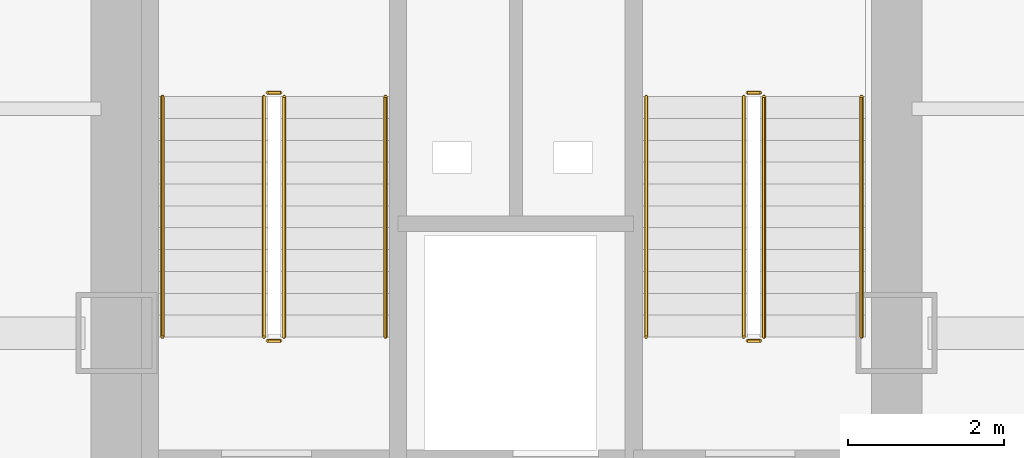
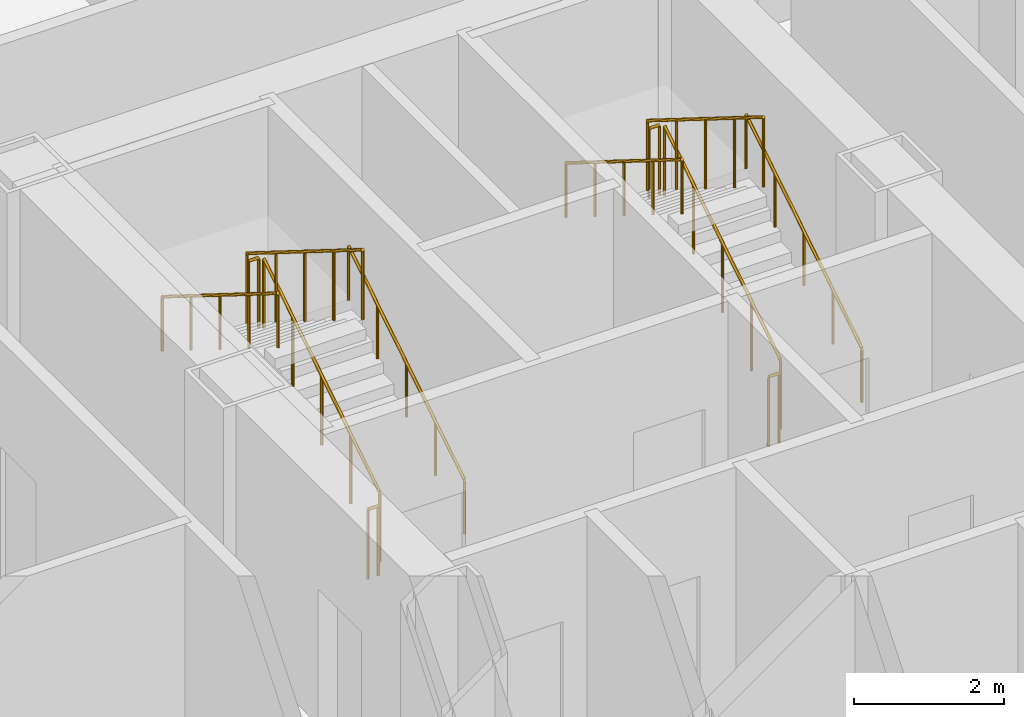
# One storey, part 13 of 16: 12 railings.
"""IFC4 building model written with IfcOpenShell, lengths in metres."""

from ifc_helpers import new_model, si_unit, direction, frame, origin, origin_2d, place, context, subcontext, project, spatial, circle, extrude, material, type_object, element, save


model = new_model("IFC4")

# Units and contexts
model_context = context("Model", 3, precision=1e-05, world=origin(), true_north=direction((0.0, 1.0)))
body_context = subcontext(model_context, "Body", "Model", "MODEL_VIEW")
ifc_project = project(units=[si_unit("LENGTHUNIT", "METRE"), si_unit("AREAUNIT", "SQUARE_METRE"), si_unit("VOLUMEUNIT", "CUBIC_METRE"), si_unit("PLANEANGLEUNIT", "RADIAN"), si_unit("MASSUNIT", "GRAM", prefix="KILO")], contexts=[model_context])

# Site, building, storey
site_placement = place(None, origin())
site = spatial("IfcSite", under=ifc_project, at=site_placement, CompositionType="ELEMENT")
building_placement = place(site_placement, origin())
building = spatial("IfcBuilding", under=site, at=building_placement, Name="Kolveth Station Tower", CompositionType="ELEMENT")
storey_placement = place(building_placement, frame((0.0, 0.0, -4.199951171875)))
storey = spatial("IfcBuildingStorey", under=building, at=storey_placement, Name="B1", CompositionType="ELEMENT", Elevation=-4.199951171875)

# Railings
ifc_material_1 = material(Name="Painted Steel S355 balustrade", Category="steel")
railing_type_1 = type_object("IfcRailingType", Name="Guard_GR2", PredefinedType="BALUSTRADE", material=ifc_material_1)
railing_1_placement = place(storey_placement, frame((20.64990234375, 22.949951171875, 0.175048828125)))
element("IfcRailing", 1, at=railing_1_placement, inside=storey, type_object=railing_type_1, Name="B1 ST1 stair guard 1", PredefinedType="BALUSTRADE", context=body_context, shape_type="SweptSolid", body=[
    extrude(circle(Radius=0.02392578125, at=origin_2d()), frame((0.0, 0.0, 1.1259765625), z_axis=(0.0, 0.848028513186, 0.529950602248), x_axis=(-1.0, 0.0, 0.0)), (0.0, 0.0, 1.0), 3.632080078125),
    extrude(circle(Radius=0.02099609375, at=origin_2d()), origin(), (0.0, 0.0, 1.0), 1.101806640625),
    extrude(circle(Radius=0.02099609375, at=origin_2d()), frame((0.0, 0.77001953125, 0.481201171875)), (0.0, 0.0, 1.0), 1.101806640625),
    extrude(circle(Radius=0.02099609375, at=origin_2d()), frame((0.0, 1.5400390625, 0.96240234375)), (0.0, 0.0, 1.0), 1.101806640625),
    extrude(circle(Radius=0.02099609375, at=origin_2d()), frame((0.0, 2.31005859375, 1.443603515625)), (0.0, 0.0, 1.0), 1.101806640625),
    extrude(circle(Radius=0.02099609375, at=origin_2d()), frame((0.0, 3.080078125, 1.9248046875)), (0.0, 0.0, 1.0), 1.101806640625),
])
railing_2_placement = place(storey_placement, frame((20.60009765625, 26.080078125, 2.099853515625)))
element("IfcRailing", 2, at=railing_2_placement, inside=storey, type_object=railing_type_1, Name="B1 ST1 stair guard 2", PredefinedType="BALUSTRADE", context=body_context, shape_type="SweptSolid", body=[
    extrude(circle(Radius=0.02392578125, at=origin_2d()), frame((0.0, 0.0, 1.1259765625), z_axis=(-1.0, 0.0, 0.0), x_axis=(0.0, -1.0, 0.0)), (0.0, 0.0, 1.0), 0.16015625),
    extrude(circle(Radius=0.02099609375, at=origin_2d()), origin(), (0.0, 0.0, 1.0), 1.101806640625),
    extrude(circle(Radius=0.02099609375, at=origin_2d()), frame((-0.16015625, 0.0, 0.0)), (0.0, 0.0, 1.0), 1.101806640625),
])
railing_3_placement = place(storey_placement, frame((20.389892578125, 26.030029296875, 2.27490234375)))
element("IfcRailing", 3, at=railing_3_placement, inside=storey, type_object=railing_type_1, Name="B1 ST1 stair guard 3", PredefinedType="BALUSTRADE", context=body_context, shape_type="SweptSolid", body=[
    extrude(circle(Radius=0.02392578125, at=origin_2d()), frame((0.0, 0.0, 1.1259765625), z_axis=(0.0, -0.847998304005, 0.529998940003), x_axis=(1.0, 0.0, 0.0)), (0.0, 0.0, 1.0), 3.632080078125),
    extrude(circle(Radius=0.02099609375, at=origin_2d()), origin(), (0.0, 0.0, 1.0), 1.101806640625),
    extrude(circle(Radius=0.02099609375, at=origin_2d()), frame((0.0, -0.77001953125, 0.481201171875)), (0.0, 0.0, 1.0), 1.101806640625),
    extrude(circle(Radius=0.02099609375, at=origin_2d()), frame((0.0, -1.5400390625, 0.96240234375)), (0.0, 0.0, 1.0), 1.101806640625),
    extrude(circle(Radius=0.02099609375, at=origin_2d()), frame((0.0, -2.31005859375, 1.44384765625)), (0.0, 0.0, 1.0), 1.101806640625),
    extrude(circle(Radius=0.02099609375, at=origin_2d()), frame((0.0, -3.080078125, 1.925048828125)), (0.0, 0.0, 1.0), 1.101806640625),
])
railing_4_placement = place(storey_placement, frame((20.60009765625, 22.89990234375, 0.0)))
element("IfcRailing", 4, at=railing_4_placement, inside=storey, type_object=railing_type_1, Name="B1 ST1 stair guard 4", PredefinedType="BALUSTRADE", context=body_context, shape_type="SweptSolid", body=[
    extrude(circle(Radius=0.02392578125, at=origin_2d()), frame((0.0, 0.0, 1.1259765625), z_axis=(-1.0, 0.0, 0.0), x_axis=(0.0, -1.0, 0.0)), (0.0, 0.0, 1.0), 0.16015625),
    extrude(circle(Radius=0.02099609375, at=origin_2d()), origin(), (0.0, 0.0, 1.0), 1.101806640625),
    extrude(circle(Radius=0.02099609375, at=origin_2d()), frame((-0.16015625, 0.0, 0.0)), (0.0, 0.0, 1.0), 1.101806640625),
])
railing_5_placement = place(storey_placement, frame((26.800048828125, 22.949951171875, 0.175048828125)))
element("IfcRailing", 5, at=railing_5_placement, inside=storey, type_object=railing_type_1, Name="B1 ST2 stair guard 1", PredefinedType="BALUSTRADE", context=body_context, shape_type="SweptSolid", body=[
    extrude(circle(Radius=0.02392578125, at=origin_2d()), frame((0.0, 0.0, 1.1259765625), z_axis=(0.0, 0.848028513186, 0.529950602248), x_axis=(-1.0, 0.0, 0.0)), (0.0, 0.0, 1.0), 3.632080078125),
    extrude(circle(Radius=0.02099609375, at=origin_2d()), origin(), (0.0, 0.0, 1.0), 1.101806640625),
    extrude(circle(Radius=0.02099609375, at=origin_2d()), frame((0.0, 0.77001953125, 0.481201171875)), (0.0, 0.0, 1.0), 1.101806640625),
    extrude(circle(Radius=0.02099609375, at=origin_2d()), frame((0.0, 1.5400390625, 0.96240234375)), (0.0, 0.0, 1.0), 1.101806640625),
    extrude(circle(Radius=0.02099609375, at=origin_2d()), frame((0.0, 2.31005859375, 1.443603515625)), (0.0, 0.0, 1.0), 1.101806640625),
    extrude(circle(Radius=0.02099609375, at=origin_2d()), frame((0.0, 3.080078125, 1.9248046875)), (0.0, 0.0, 1.0), 1.101806640625),
])
railing_6_placement = place(storey_placement, frame((26.75, 26.080078125, 2.099853515625)))
element("IfcRailing", 6, at=railing_6_placement, inside=storey, type_object=railing_type_1, Name="B1 ST2 stair guard 2", PredefinedType="BALUSTRADE", context=body_context, shape_type="SweptSolid", body=[
    extrude(circle(Radius=0.02392578125, at=origin_2d()), frame((0.0, 0.0, 1.1259765625), z_axis=(-1.0, 0.0, 0.0), x_axis=(0.0, -1.0, 0.0)), (0.0, 0.0, 1.0), 0.159912109375),
    extrude(circle(Radius=0.02099609375, at=origin_2d()), origin(), (0.0, 0.0, 1.0), 1.101806640625),
    extrude(circle(Radius=0.02099609375, at=origin_2d()), frame((-0.159912109375, 0.0, 0.0)), (0.0, 0.0, 1.0), 1.101806640625),
])
railing_7_placement = place(storey_placement, frame((26.5400390625, 26.030029296875, 2.27490234375)))
element("IfcRailing", 7, at=railing_7_placement, inside=storey, type_object=railing_type_1, Name="B1 ST2 stair guard 3", PredefinedType="BALUSTRADE", context=body_context, shape_type="SweptSolid", body=[
    extrude(circle(Radius=0.02392578125, at=origin_2d()), frame((0.0, 0.0, 1.1259765625), z_axis=(0.0, -0.847998304005, 0.529998940003), x_axis=(1.0, 0.0, 0.0)), (0.0, 0.0, 1.0), 3.632080078125),
    extrude(circle(Radius=0.02099609375, at=origin_2d()), origin(), (0.0, 0.0, 1.0), 1.101806640625),
    extrude(circle(Radius=0.02099609375, at=origin_2d()), frame((0.0, -0.77001953125, 0.481201171875)), (0.0, 0.0, 1.0), 1.101806640625),
    extrude(circle(Radius=0.02099609375, at=origin_2d()), frame((0.0, -1.5400390625, 0.96240234375)), (0.0, 0.0, 1.0), 1.101806640625),
    extrude(circle(Radius=0.02099609375, at=origin_2d()), frame((0.0, -2.31005859375, 1.44384765625)), (0.0, 0.0, 1.0), 1.101806640625),
    extrude(circle(Radius=0.02099609375, at=origin_2d()), frame((0.0, -3.080078125, 1.925048828125)), (0.0, 0.0, 1.0), 1.101806640625),
])
railing_8_placement = place(storey_placement, frame((26.75, 22.89990234375, 0.0)))
element("IfcRailing", 8, at=railing_8_placement, inside=storey, type_object=railing_type_1, Name="B1 ST2 stair guard 4", PredefinedType="BALUSTRADE", context=body_context, shape_type="SweptSolid", body=[
    extrude(circle(Radius=0.02392578125, at=origin_2d()), frame((0.0, 0.0, 1.1259765625), z_axis=(-1.0, 0.0, 0.0), x_axis=(0.0, -1.0, 0.0)), (0.0, 0.0, 1.0), 0.159912109375),
    extrude(circle(Radius=0.02099609375, at=origin_2d()), origin(), (0.0, 0.0, 1.0), 1.101806640625),
    extrude(circle(Radius=0.02099609375, at=origin_2d()), frame((-0.159912109375, 0.0, 0.0)), (0.0, 0.0, 1.0), 1.101806640625),
])
ifc_material_2 = material(Name="Brushed stainless steel", Category="steel")
railing_type_2 = type_object("IfcRailingType", Name="Handrail_HR1", PredefinedType="HANDRAIL", material=ifc_material_2)
railing_9_placement = place(storey_placement, frame((21.949951171875, 22.949951171875, 0.175048828125)))
element("IfcRailing", 9, at=railing_9_placement, inside=storey, type_object=railing_type_2, Name="B1 ST1 stair handrail 1", PredefinedType="HANDRAIL", context=body_context, shape_type="SweptSolid", body=[
    extrude(circle(Radius=0.02392578125, at=origin_2d()), frame((0.0, 0.0, 0.8759765625), z_axis=(0.0, 0.848028513186, 0.529950602248), x_axis=(-1.0, 0.0, 0.0)), (0.0, 0.0, 1.0), 3.632080078125),
    extrude(circle(Radius=0.02099609375, at=origin_2d()), origin(), (0.0, 0.0, 1.0), 0.851806640625),
    extrude(circle(Radius=0.02099609375, at=origin_2d()), frame((0.0, 0.77001953125, 0.481201171875)), (0.0, 0.0, 1.0), 0.851806640625),
    extrude(circle(Radius=0.02099609375, at=origin_2d()), frame((0.0, 1.5400390625, 0.96240234375)), (0.0, 0.0, 1.0), 0.851806640625),
    extrude(circle(Radius=0.02099609375, at=origin_2d()), frame((0.0, 2.31005859375, 1.443603515625)), (0.0, 0.0, 1.0), 0.851806640625),
    extrude(circle(Radius=0.02099609375, at=origin_2d()), frame((0.0, 3.080078125, 1.9248046875)), (0.0, 0.0, 1.0), 0.851806640625),
])
railing_10_placement = place(storey_placement, frame((19.090087890625, 26.030029296875, 2.27490234375)))
element("IfcRailing", 10, at=railing_10_placement, inside=storey, type_object=railing_type_2, Name="B1 ST1 stair handrail 2", PredefinedType="HANDRAIL", context=body_context, shape_type="SweptSolid", body=[
    extrude(circle(Radius=0.02392578125, at=origin_2d()), frame((0.0, 0.0, 0.8759765625), z_axis=(0.0, -0.847998304005, 0.529998940003), x_axis=(1.0, 0.0, 0.0)), (0.0, 0.0, 1.0), 3.632080078125),
    extrude(circle(Radius=0.02099609375, at=origin_2d()), origin(), (0.0, 0.0, 1.0), 0.851806640625),
    extrude(circle(Radius=0.02099609375, at=origin_2d()), frame((0.0, -0.77001953125, 0.481201171875)), (0.0, 0.0, 1.0), 0.851806640625),
    extrude(circle(Radius=0.02099609375, at=origin_2d()), frame((0.0, -1.5400390625, 0.96240234375)), (0.0, 0.0, 1.0), 0.851806640625),
    extrude(circle(Radius=0.02099609375, at=origin_2d()), frame((0.0, -2.31005859375, 1.44384765625)), (0.0, 0.0, 1.0), 0.851806640625),
    extrude(circle(Radius=0.02099609375, at=origin_2d()), frame((0.0, -3.080078125, 1.925048828125)), (0.0, 0.0, 1.0), 0.851806640625),
])
railing_11_placement = place(storey_placement, frame((28.050048828125, 22.949951171875, 0.175048828125)))
element("IfcRailing", 11, at=railing_11_placement, inside=storey, type_object=railing_type_2, Name="B1 ST2 stair handrail 1", PredefinedType="HANDRAIL", context=body_context, shape_type="SweptSolid", body=[
    extrude(circle(Radius=0.02392578125, at=origin_2d()), frame((0.0, 0.0, 0.8759765625), z_axis=(0.0, 0.848028513186, 0.529950602248), x_axis=(-1.0, 0.0, 0.0)), (0.0, 0.0, 1.0), 3.632080078125),
    extrude(circle(Radius=0.02099609375, at=origin_2d()), origin(), (0.0, 0.0, 1.0), 0.851806640625),
    extrude(circle(Radius=0.02099609375, at=origin_2d()), frame((0.0, 0.77001953125, 0.481201171875)), (0.0, 0.0, 1.0), 0.851806640625),
    extrude(circle(Radius=0.02099609375, at=origin_2d()), frame((0.0, 1.5400390625, 0.96240234375)), (0.0, 0.0, 1.0), 0.851806640625),
    extrude(circle(Radius=0.02099609375, at=origin_2d()), frame((0.0, 2.31005859375, 1.443603515625)), (0.0, 0.0, 1.0), 0.851806640625),
    extrude(circle(Radius=0.02099609375, at=origin_2d()), frame((0.0, 3.080078125, 1.9248046875)), (0.0, 0.0, 1.0), 0.851806640625),
])
railing_12_placement = place(storey_placement, frame((25.2900390625, 26.030029296875, 2.27490234375)))
element("IfcRailing", 12, at=railing_12_placement, inside=storey, type_object=railing_type_2, Name="B1 ST2 stair handrail 2", PredefinedType="HANDRAIL", context=body_context, shape_type="SweptSolid", body=[
    extrude(circle(Radius=0.02392578125, at=origin_2d()), frame((0.0, 0.0, 0.8759765625), z_axis=(0.0, -0.847998304005, 0.529998940003), x_axis=(1.0, 0.0, 0.0)), (0.0, 0.0, 1.0), 3.632080078125),
    extrude(circle(Radius=0.02099609375, at=origin_2d()), origin(), (0.0, 0.0, 1.0), 0.851806640625),
    extrude(circle(Radius=0.02099609375, at=origin_2d()), frame((0.0, -0.77001953125, 0.481201171875)), (0.0, 0.0, 1.0), 0.851806640625),
    extrude(circle(Radius=0.02099609375, at=origin_2d()), frame((0.0, -1.5400390625, 0.96240234375)), (0.0, 0.0, 1.0), 0.851806640625),
    extrude(circle(Radius=0.02099609375, at=origin_2d()), frame((0.0, -2.31005859375, 1.44384765625)), (0.0, 0.0, 1.0), 0.851806640625),
    extrude(circle(Radius=0.02099609375, at=origin_2d()), frame((0.0, -3.080078125, 1.925048828125)), (0.0, 0.0, 1.0), 0.851806640625),
])

save(model, "model.ifc")
